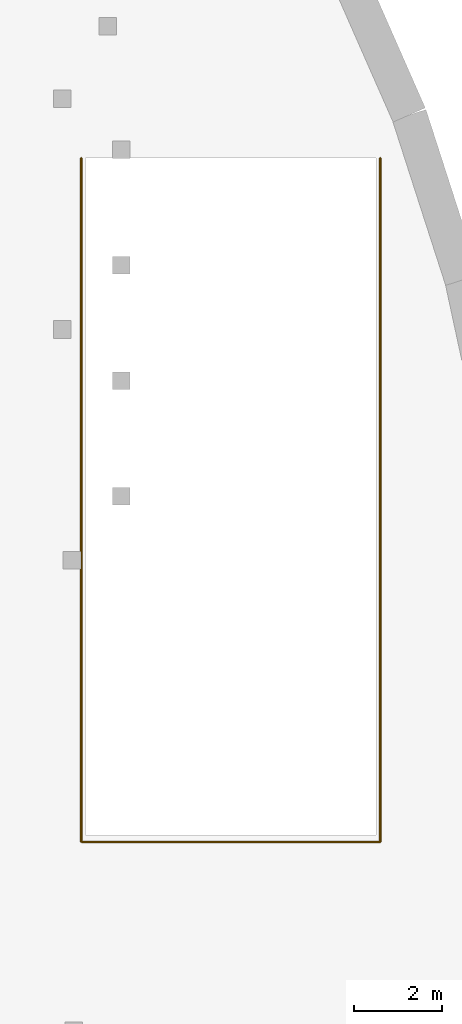
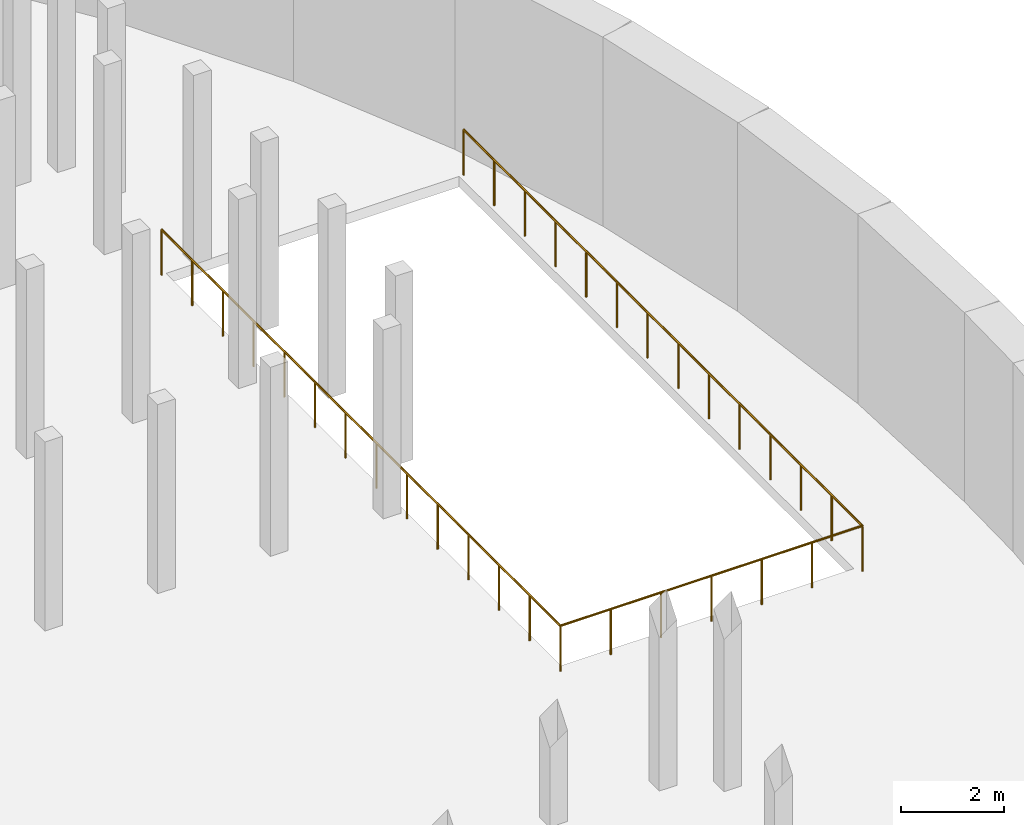
# One storey, part 9 of 9: 1 railing.
"""IFC4 building model written with IfcOpenShell, lengths in metres."""

from ifc_helpers import new_model, si_unit, direction, frame, origin, origin_2d, place, context, subcontext, project, spatial, circle, extrude, material, type_object, element, save


model = new_model("IFC4")

# Units and contexts
model_context = context("Model", 3, precision=1e-05, world=origin(), true_north=direction((0.0, 1.0)))
body_context = subcontext(model_context, "Body", "Model", "MODEL_VIEW")
ifc_project = project(units=[si_unit("LENGTHUNIT", "METRE"), si_unit("AREAUNIT", "SQUARE_METRE"), si_unit("VOLUMEUNIT", "CUBIC_METRE"), si_unit("PLANEANGLEUNIT", "RADIAN"), si_unit("MASSUNIT", "GRAM", prefix="KILO")], contexts=[model_context])

# Site, building, storey
site_placement = place(None, origin())
site = spatial("IfcSite", under=ifc_project, at=site_placement, CompositionType="ELEMENT")
building_placement = place(site_placement, origin())
building = spatial("IfcBuilding", under=site, at=building_placement, Name="Rubra Terraces Tower", CompositionType="ELEMENT")
storey_placement = place(building_placement, frame((0.0, 0.0, -10.5)))
storey = spatial("IfcBuildingStorey", under=building, at=storey_placement, Name="B2", CompositionType="ELEMENT", Elevation=-10.5)

# Railing
ifc_material = material(Name="Stainless steel", Category="steel")
railing_type = type_object("IfcRailingType", Name="Guard 1100", PredefinedType="GUARDRAIL", material=ifc_material)
railing_placement = place(storey_placement, frame((46.199951171875, 14.5, 0.0)))
element("IfcRailing", 1, at=railing_placement, inside=storey, type_object=railing_type, Name="Guard at ramp opening", PredefinedType="GUARDRAIL", context=body_context, shape_type="SweptSolid", body=[
    extrude(circle(Radius=0.02392578125, at=origin_2d()), frame((0.0, 0.0, 1.076171875), z_axis=(0.0, -1.0, 0.0), x_axis=(1.0, 0.0, 0.0)), (0.0, 0.0, 1.0), 15.550048828125),
    extrude(circle(Radius=0.02392578125, at=origin_2d()), frame((0.0, -15.550048828125, 1.076171875), z_axis=(-1.0, 0.0, 0.0), x_axis=(0.0, -1.0, 0.0)), (0.0, 0.0, 1.0), 6.800048828125),
    extrude(circle(Radius=0.02392578125, at=origin_2d()), frame((-6.800048828125, -15.550048828125, 1.076171875), z_axis=(0.0, 1.0, 0.0), x_axis=(-1.0, 0.0, 0.0)), (0.0, 0.0, 1.0), 15.550048828125),
    extrude(circle(Radius=0.02099609375, at=origin_2d()), origin(), (0.0, 0.0, 1.0), 1.052001953125),
    extrude(circle(Radius=0.02099609375, at=origin_2d()), frame((0.0, -1.196044921875, 0.0)), (0.0, 0.0, 1.0), 1.052001953125),
    extrude(circle(Radius=0.02099609375, at=origin_2d()), frame((0.0, -2.392333984375, 0.0)), (0.0, 0.0, 1.0), 1.052001953125),
    extrude(circle(Radius=0.02099609375, at=origin_2d()), frame((0.0, -3.58837890625, 0.0)), (0.0, 0.0, 1.0), 1.052001953125),
    extrude(circle(Radius=0.02099609375, at=origin_2d()), frame((0.0, -4.78466796875, 0.0)), (0.0, 0.0, 1.0), 1.052001953125),
    extrude(circle(Radius=0.02099609375, at=origin_2d()), frame((0.0, -5.980712890625, 0.0)), (0.0, 0.0, 1.0), 1.052001953125),
    extrude(circle(Radius=0.02099609375, at=origin_2d()), frame((0.0, -7.177001953125, 0.0)), (0.0, 0.0, 1.0), 1.052001953125),
    extrude(circle(Radius=0.02099609375, at=origin_2d()), frame((0.0, -8.373046875, 0.0)), (0.0, 0.0, 1.0), 1.052001953125),
    extrude(circle(Radius=0.02099609375, at=origin_2d()), frame((0.0, -9.5693359375, 0.0)), (0.0, 0.0, 1.0), 1.052001953125),
    extrude(circle(Radius=0.02099609375, at=origin_2d()), frame((0.0, -10.765380859375, 0.0)), (0.0, 0.0, 1.0), 1.052001953125),
    extrude(circle(Radius=0.02099609375, at=origin_2d()), frame((0.0, -11.961669921875, 0.0)), (0.0, 0.0, 1.0), 1.052001953125),
    extrude(circle(Radius=0.02099609375, at=origin_2d()), frame((0.0, -13.15771484375, 0.0)), (0.0, 0.0, 1.0), 1.052001953125),
    extrude(circle(Radius=0.02099609375, at=origin_2d()), frame((0.0, -14.35400390625, 0.0)), (0.0, 0.0, 1.0), 1.052001953125),
    extrude(circle(Radius=0.02099609375, at=origin_2d()), frame((0.0, -15.550048828125, 0.0)), (0.0, 0.0, 1.0), 1.052001953125),
    extrude(circle(Radius=0.02099609375, at=origin_2d()), frame((-1.13330078125, -15.550048828125, 0.0)), (0.0, 0.0, 1.0), 1.052001953125),
    extrude(circle(Radius=0.02099609375, at=origin_2d()), frame((-2.2666015625, -15.550048828125, 0.0)), (0.0, 0.0, 1.0), 1.052001953125),
    extrude(circle(Radius=0.02099609375, at=origin_2d()), frame((-3.39990234375, -15.550048828125, 0.0)), (0.0, 0.0, 1.0), 1.052001953125),
    extrude(circle(Radius=0.02099609375, at=origin_2d()), frame((-4.533447265625, -15.550048828125, 0.0)), (0.0, 0.0, 1.0), 1.052001953125),
    extrude(circle(Radius=0.02099609375, at=origin_2d()), frame((-5.666748046875, -15.550048828125, 0.0)), (0.0, 0.0, 1.0), 1.052001953125),
    extrude(circle(Radius=0.02099609375, at=origin_2d()), frame((-6.800048828125, -15.550048828125, 0.0)), (0.0, 0.0, 1.0), 1.052001953125),
    extrude(circle(Radius=0.02099609375, at=origin_2d()), frame((-6.800048828125, -14.35400390625, 0.0)), (0.0, 0.0, 1.0), 1.052001953125),
    extrude(circle(Radius=0.02099609375, at=origin_2d()), frame((-6.800048828125, -13.15771484375, 0.0)), (0.0, 0.0, 1.0), 1.052001953125),
    extrude(circle(Radius=0.02099609375, at=origin_2d()), frame((-6.800048828125, -11.961669921875, 0.0)), (0.0, 0.0, 1.0), 1.052001953125),
    extrude(circle(Radius=0.02099609375, at=origin_2d()), frame((-6.800048828125, -10.765380859375, 0.0)), (0.0, 0.0, 1.0), 1.052001953125),
    extrude(circle(Radius=0.02099609375, at=origin_2d()), frame((-6.800048828125, -9.5693359375, 0.0)), (0.0, 0.0, 1.0), 1.052001953125),
    extrude(circle(Radius=0.02099609375, at=origin_2d()), frame((-6.800048828125, -8.373046875, 0.0)), (0.0, 0.0, 1.0), 1.052001953125),
    extrude(circle(Radius=0.02099609375, at=origin_2d()), frame((-6.800048828125, -7.177001953125, 0.0)), (0.0, 0.0, 1.0), 1.052001953125),
    extrude(circle(Radius=0.02099609375, at=origin_2d()), frame((-6.800048828125, -5.980712890625, 0.0)), (0.0, 0.0, 1.0), 1.052001953125),
    extrude(circle(Radius=0.02099609375, at=origin_2d()), frame((-6.800048828125, -4.78466796875, 0.0)), (0.0, 0.0, 1.0), 1.052001953125),
    extrude(circle(Radius=0.02099609375, at=origin_2d()), frame((-6.800048828125, -3.58837890625, 0.0)), (0.0, 0.0, 1.0), 1.052001953125),
    extrude(circle(Radius=0.02099609375, at=origin_2d()), frame((-6.800048828125, -2.392333984375, 0.0)), (0.0, 0.0, 1.0), 1.052001953125),
    extrude(circle(Radius=0.02099609375, at=origin_2d()), frame((-6.800048828125, -1.196044921875, 0.0)), (0.0, 0.0, 1.0), 1.052001953125),
    extrude(circle(Radius=0.02099609375, at=origin_2d()), frame((-6.800048828125, 0.0, 0.0)), (0.0, 0.0, 1.0), 1.052001953125),
])

save(model, "model.ifc")
